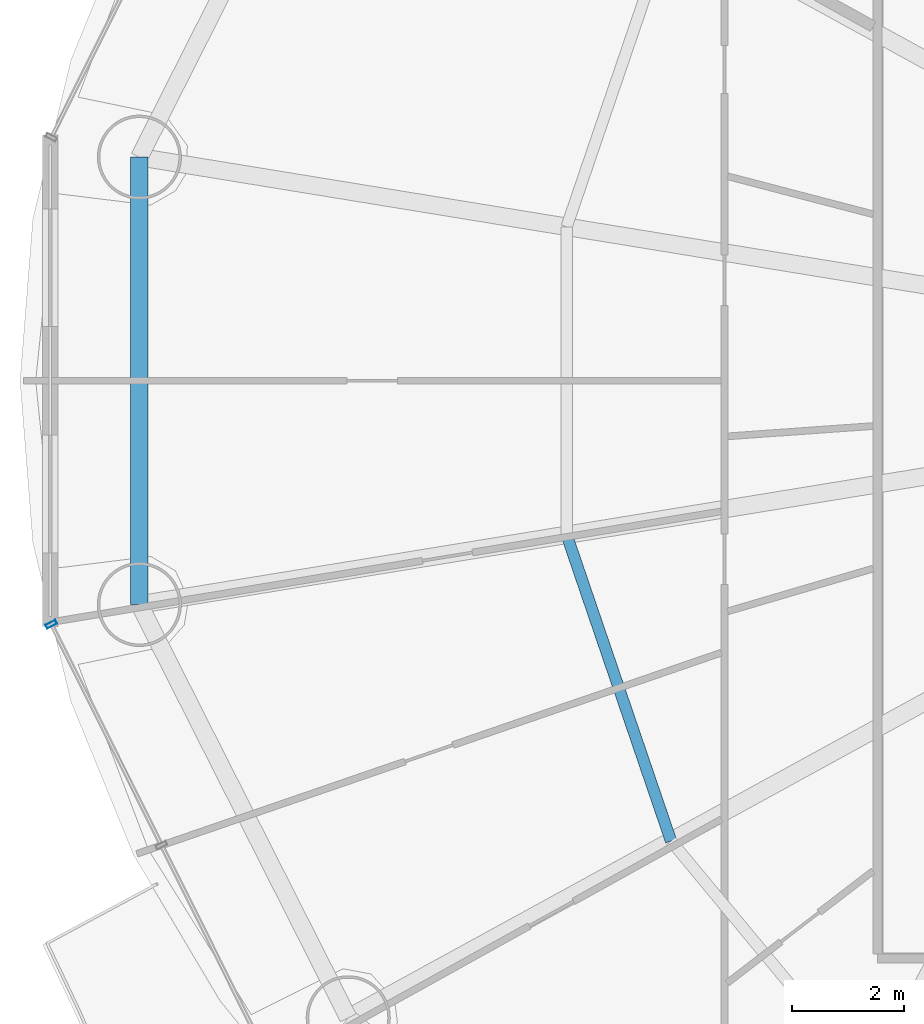
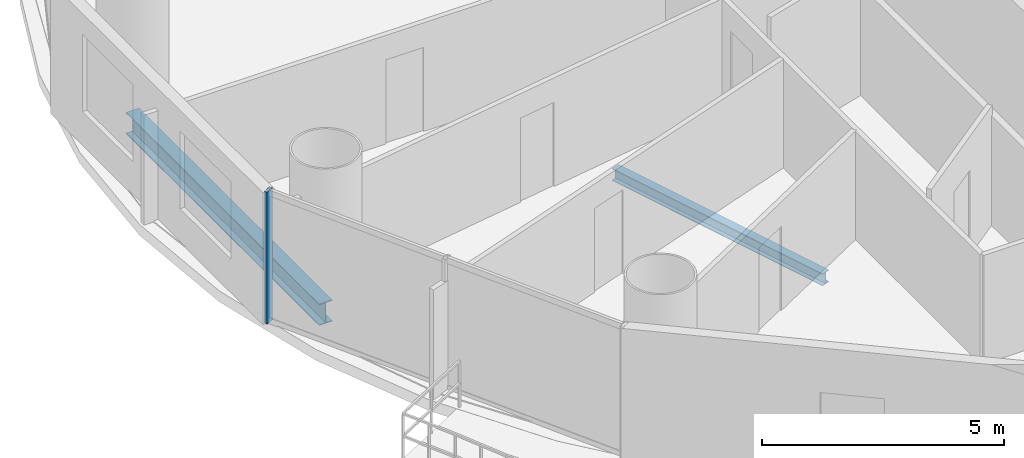
# One storey, part 7 of 29: 2 beams, 1 member, 1 element without a shape of its own.
"""IFC4 building model written with IfcOpenShell, lengths in metres."""

from ifc_helpers import new_model, si_unit, direction, frame, origin, origin_2d, place, context, subcontext, project, spatial, hollow_rectangle, i_section, extrude, source, transform, mapped, material, material_profile, profile_set, type_object, element, aggregate, save


model = new_model("IFC4")

# Units and contexts
model_context = context("Model", 3, precision=1e-05, world=origin(), true_north=direction((-0.2419218956, 0.970295726276)))
body_context = subcontext(model_context, "Body", "Model", "MODEL_VIEW")
ifc_project = project(units=[si_unit("LENGTHUNIT", "METRE"), si_unit("AREAUNIT", "SQUARE_METRE"), si_unit("VOLUMEUNIT", "CUBIC_METRE"), si_unit("PLANEANGLEUNIT", "RADIAN"), si_unit("MASSUNIT", "GRAM", prefix="KILO")], contexts=[model_context])

# Site, building, storey
site_placement = place(None, origin())
site = spatial("IfcSite", under=ifc_project, at=site_placement, CompositionType="ELEMENT")
building_placement = place(site_placement, origin())
building = spatial("IfcBuilding", under=site, at=building_placement, Name="Cobrevalo Terracotta Tower", CompositionType="ELEMENT")
storey_placement = place(building_placement, frame((0.0, 0.0, 97.800048828125)))
storey = spatial("IfcBuildingStorey", under=building, at=storey_placement, Name="L25", CompositionType="ELEMENT", Elevation=97.800048828125)

# Beams
ifc_material_1 = material(Name="Steel S355", Category="steel")
ifc_material_profile_1 = material_profile(ifc_material_1, i_section(OverallWidth=0.2041015625, OverallDepth=0.305908203125, WebThickness=0.008544921875, FlangeThickness=0.0146484375, at=origin_2d()), Name="W 310x67")
ifc_profile_set_1 = profile_set([ifc_material_profile_1], Name="Steel S355")
beam_type_1 = type_object("IfcBeamType", Name="Structural Joist W 310x67 (Steel S355)", PredefinedType="JOIST", material=ifc_profile_set_1)
beam_1_placement = place(storey_placement, frame((21.149658203125, 24.052734375, -0.427978515625), z_axis=(0.322846227919, -0.946451431991, 0.0), x_axis=(0.946451431991, 0.322846227919, 0.0)))
element("IfcBeam", 1, at=beam_1_placement, inside=storey, type_object=beam_type_1, Name="L25 circumferential secondary floor joist 09", PredefinedType="JOIST", context=body_context, shape_type="SweptSolid", body=[
    extrude(i_section(OverallWidth=0.2041015625, OverallDepth=0.305908203125, WebThickness=0.008544921875, FlangeThickness=0.0146484375, at=origin_2d()), origin(), (0.0, 0.0, 1.0), 5.77001953125),
])
ifc_material_profile_2 = material_profile(ifc_material_1, i_section(OverallWidth=0.31201171875, OverallDepth=0.54296875, WebThickness=0.0126953125, FlangeThickness=0.020263671875, at=origin_2d()), Name="W 530x150")
ifc_profile_set_2 = profile_set([ifc_material_profile_2], Name="Steel S355")
beam_type_2 = type_object("IfcBeamType", Name="Structural Spandrel W 530x150 (Steel S355)", PredefinedType="SPANDREL", material=ifc_profile_set_2)
beam_2_placement = place(storey_placement, frame((13.529296875, 30.78955078125, -0.546630859375), z_axis=(0.0, -1.0, 0.0), x_axis=(1.0, 0.0, 0.0)))
element("IfcBeam", 2, at=beam_2_placement, inside=storey, type_object=beam_type_2, Name="L25 perimeter ring spandrel 08", PredefinedType="SPANDREL", context=body_context, shape_type="SweptSolid", body=[
    extrude(i_section(OverallWidth=0.31201171875, OverallDepth=0.54296875, WebThickness=0.0126953125, FlangeThickness=0.020263671875, at=origin_2d()), origin(), (0.0, 0.0, 1.0), 7.979248046875),
])

# Curtain wall, member
ifc_material_2 = material(Name="Anodized aluminium", Category="aluminium")
curtain_wall_type = type_object("IfcCurtainWallType", Name="Lower-tower unitised acoustic low-E curtain wall CW-U1", PredefinedType="NOTDEFINED", material=ifc_material_2)
curtain_wall_placement = place(storey_placement, origin())
curtain_wall = element("IfcCurtainWall", 3, at=curtain_wall_placement, inside=storey, type_object=curtain_wall_type, Name="L25 curtain wall CW-L25-S09", PredefinedType="NOTDEFINED")
ifc_material_profile_3 = material_profile(ifc_material_2, hollow_rectangle(XDim=0.074951171875, YDim=0.199951171875, WallThickness=0.0048828125, at=origin_2d()), Name="CWM 75x200")
ifc_profile_set_3 = profile_set([ifc_material_profile_3], Name="Anodized aluminium")
member_type = type_object("IfcMemberType", Name="Lower/mid tower unitised mullion 75x200", PredefinedType="MULLION", material=ifc_profile_set_3)
shared_shape = source(origin(), body_context, "Body", "SweptSolid", [
    extrude(hollow_rectangle(XDim=0.074951171875, YDim=0.199951171875, WallThickness=0.0048828125, at=origin_2d()), origin(), (0.0, 0.0, 1.0), 3.324951171875),
])
member_placement = place(storey_placement, frame((11.95849609375, 22.45849609375, 0.0), z_axis=(0.0, 0.0, 1.0), x_axis=(0.446260290227, -0.894903208937, 0.0)))
member = element("IfcMember", 4, at=member_placement, type_object=member_type, Name="CW-L25-S09 vertical mullion 01", PredefinedType="MULLION", context=body_context, shape_type="MappedRepresentation", body=[
    mapped(shared_shape, transform((0.0, 0.0, 0.0), scale=1.0)),
])
aggregate(curtain_wall, [member])

save(model, "model.ifc")
